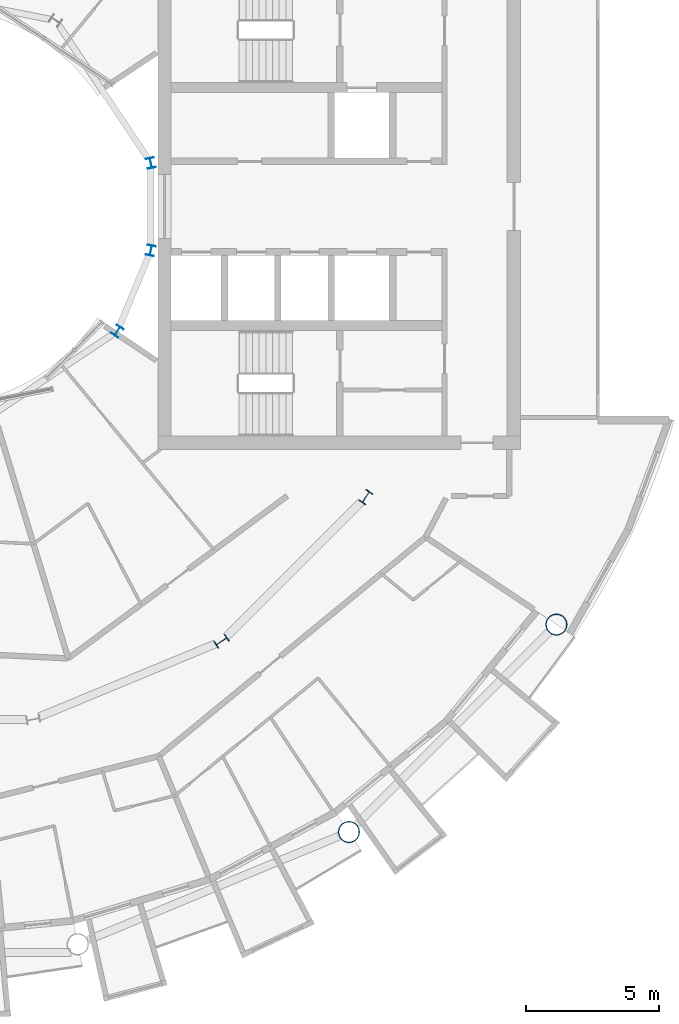
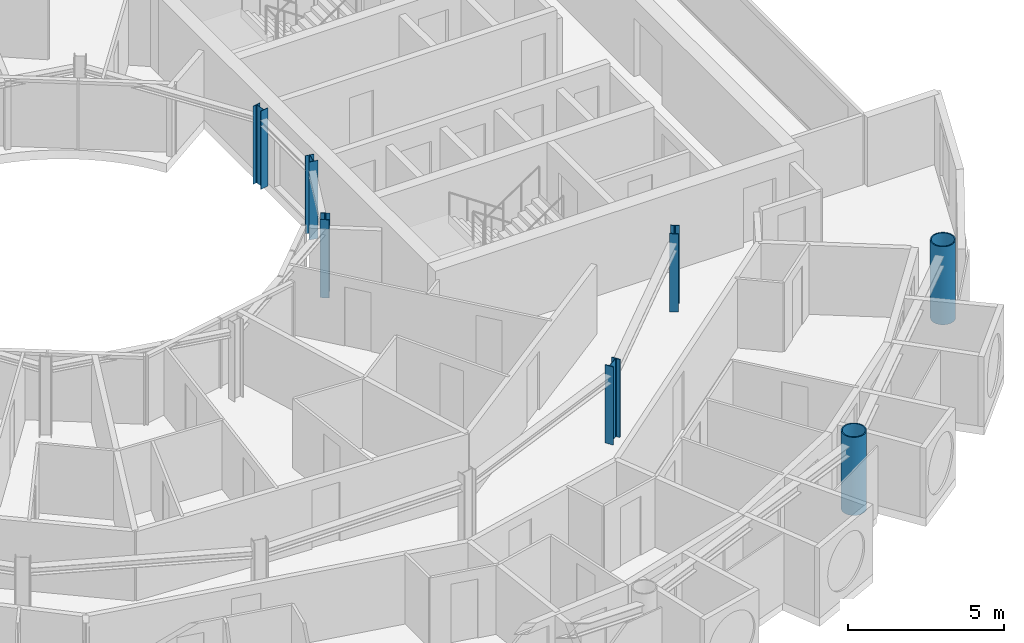
# One storey, part 2 of 27: 7 columns.
"""IFC4 building model written with IfcOpenShell, lengths in metres."""

from ifc_helpers import new_model, si_unit, direction, frame, origin, origin_2d, place, context, subcontext, project, spatial, hollow_circle, i_section, extrude, material, material_profile, profile_set, type_object, element, save


model = new_model("IFC4")

# Units and contexts
model_context = context("Model", 3, precision=1e-05, world=origin(), true_north=direction((0.0, 1.0)))
body_context = subcontext(model_context, "Body", "Model", "MODEL_VIEW")
ifc_project = project(units=[si_unit("LENGTHUNIT", "METRE"), si_unit("AREAUNIT", "SQUARE_METRE"), si_unit("VOLUMEUNIT", "CUBIC_METRE"), si_unit("PLANEANGLEUNIT", "RADIAN"), si_unit("MASSUNIT", "GRAM", prefix="KILO")], contexts=[model_context])

# Site, building, storey
site_placement = place(None, origin())
site = spatial("IfcSite", under=ifc_project, at=site_placement, CompositionType="ELEMENT")
building_placement = place(site_placement, origin())
building = spatial("IfcBuilding", under=site, at=building_placement, Name="Maasbend Ring Residences", CompositionType="ELEMENT")
storey_placement = place(building_placement, frame((0.0, 0.0, 151.300048828125)))
storey = spatial("IfcBuildingStorey", under=building, at=storey_placement, Name="L43", CompositionType="ELEMENT", Elevation=151.300048828125)

# Columns
ifc_material_1 = material(Name="Composite concrete-filled steel tube S460NH / C80/95", Category="concrete")
ifc_material_profile_1 = material_profile(ifc_material_1, hollow_circle(Radius=0.406494140625, WallThickness=0.0400390625, at=origin_2d()), Name="Composite tube column CHS 813x40")
ifc_profile_set_1 = profile_set([ifc_material_profile_1], Name="Composite concrete-filled steel tube S460NH / C80/95")
column_type_1 = type_object("IfcColumnType", Name="Composite tube column CHS 813x40", PredefinedType="COLUMN", material=ifc_profile_set_1)
for number, where, z_axis, x_axis, name in (
    (1, (15.6669921875, -23.447509765625, 0.0), (0.0, 0.0, 1.0), (1.0, 0.0, 0.0), "Outer column R14"),
    (2, (23.447509765625, -15.6669921875, 0.0), (0.0, 0.0, 1.0), (1.0, 0.0, 0.0), "Outer column R15"),
):
    element("IfcColumn", number, at=place(storey_placement, frame(where, z_axis=z_axis, x_axis=x_axis)), inside=storey, type_object=column_type_1, Name=name, PredefinedType="COLUMN", context=body_context, shape_type="SweptSolid", body=[
        extrude(hollow_circle(Radius=0.406494140625, WallThickness=0.0400390625, at=origin_2d()), origin(), (0.0, 0.0, 1.0), 3.050048828125),
    ])
ifc_material_2 = material(Name="Steel S355J2", Category="steel")
ifc_material_profile_2 = material_profile(ifc_material_2, i_section(OverallWidth=0.300048828125, OverallDepth=0.389892578125, WebThickness=0.010986328125, FlangeThickness=0.01904296875, FilletRadius=0.027099609375, at=origin_2d()), Name="HEA 400")
ifc_profile_set_2 = profile_set([ifc_material_profile_2], Name="Steel S355J2")
column_type_2 = type_object("IfcColumnType", Name="Steel column HEA 400", PredefinedType="COLUMN", material=ifc_profile_set_2)
for number, where, z_axis, x_axis, name in (
    (3, (8.238525390625, 1.638916015625, 0.0), (0.0, 0.0, 1.0), (0.980785280403, 0.195090322016, 0.0), "Well ring column R1"),
    (4, (6.984375, -4.666748046875, 0.0), (0.0, 0.0, 1.0), (0.831469612303, -0.55557023302, 0.0), "Well ring column R15"),
    (5, (8.238525390625, -1.638916015625, 0.0), (0.0, 0.0, 1.0), (0.980785280403, -0.195090322016, 0.0), "Well ring column R16"),
):
    element("IfcColumn", number, at=place(storey_placement, frame(where, z_axis=z_axis, x_axis=x_axis)), inside=storey, type_object=column_type_2, Name=name, PredefinedType="COLUMN", context=body_context, shape_type="SweptSolid", body=[
        extrude(i_section(OverallWidth=0.300048828125, OverallDepth=0.389892578125, WebThickness=0.010986328125, FlangeThickness=0.01904296875, FilletRadius=0.027099609375, at=origin_2d()), origin(), (0.0, 0.0, 1.0), 3.050048828125),
    ])
ifc_material_3 = material(Name="Steel S355J2", Category="steel")
ifc_material_profile_3 = material_profile(ifc_material_3, i_section(OverallWidth=0.300048828125, OverallDepth=0.5, WebThickness=0.014404296875, FlangeThickness=0.028076171875, FilletRadius=0.027099609375, at=origin_2d()), Name="HEB 500")
ifc_profile_set_3 = profile_set([ifc_material_profile_3], Name="Steel S355J2")
column_type_3 = type_object("IfcColumnType", Name="Steel column HEB 500", PredefinedType="COLUMN", material=ifc_profile_set_3)
for number, where, z_axis, x_axis, name in (
    (6, (10.88916015625, -16.296875, 0.0), (0.0, 0.0, 1.0), (0.55557023302, -0.831469612303, 0.0), "Corridor ring column R14"),
    (7, (16.296875, -10.88916015625, 0.0), (0.0, 0.0, 1.0), (0.831469612303, -0.55557023302, 0.0), "Corridor ring column R15"),
):
    element("IfcColumn", number, at=place(storey_placement, frame(where, z_axis=z_axis, x_axis=x_axis)), inside=storey, type_object=column_type_3, Name=name, PredefinedType="COLUMN", context=body_context, shape_type="SweptSolid", body=[
        extrude(i_section(OverallWidth=0.300048828125, OverallDepth=0.5, WebThickness=0.014404296875, FlangeThickness=0.028076171875, FilletRadius=0.027099609375, at=origin_2d()), origin(), (0.0, 0.0, 1.0), 3.050048828125),
    ])

save(model, "model.ifc")
